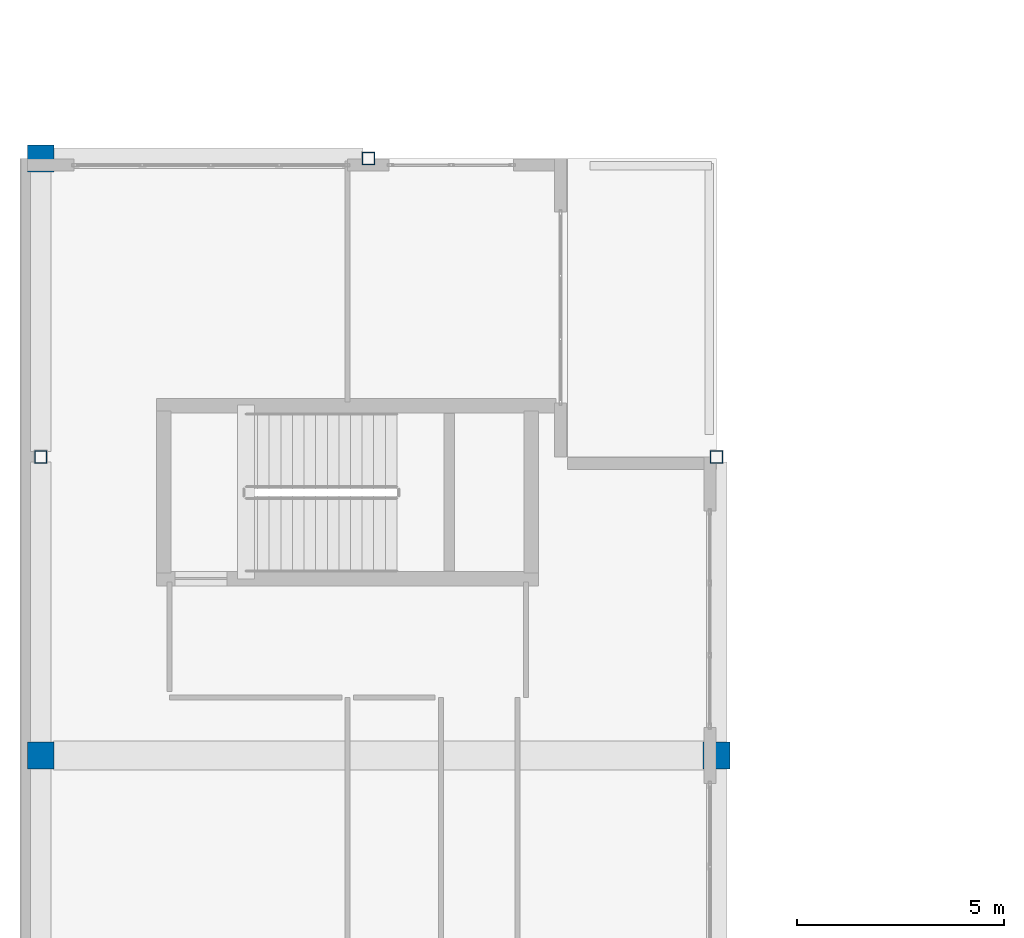
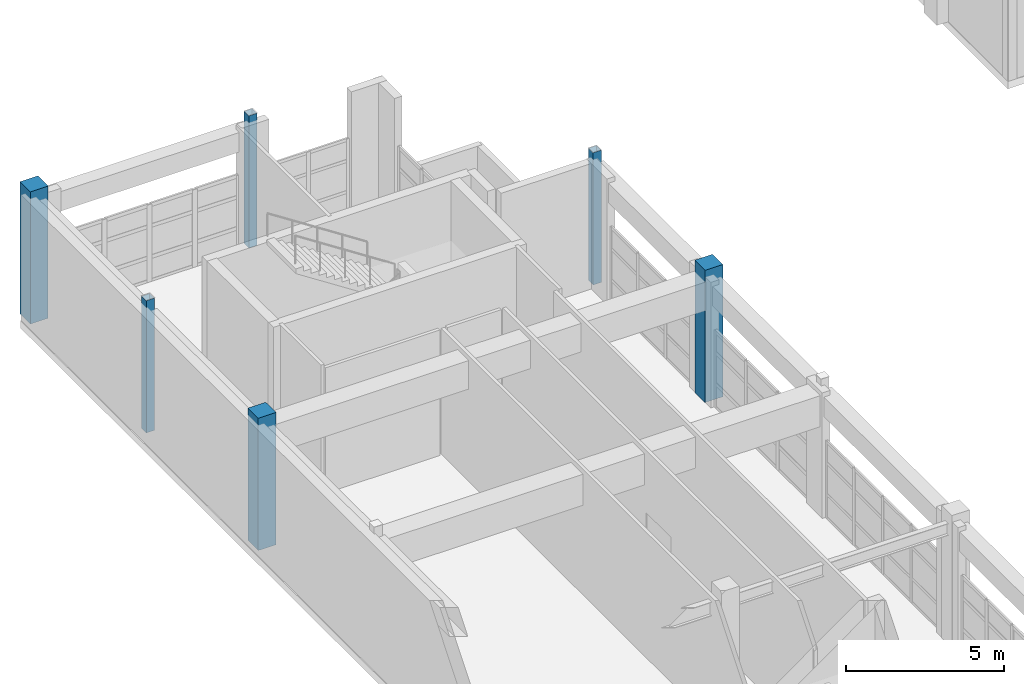
# One storey, part 4 of 78: 6 columns.
"""IFC4 building model written with IfcOpenShell, lengths in metres."""

from ifc_helpers import new_model, si_unit, direction, frame, origin, origin_2d, place, context, subcontext, project, spatial, rectangle, hollow_rectangle, extrude, material, material_profile, profile_set, type_object, element, save


model = new_model("IFC4")

# Units and contexts
model_context = context("Model", 3, precision=1e-05, world=origin(), true_north=direction((0.0, 1.0)))
body_context = subcontext(model_context, "Body", "Model", "MODEL_VIEW")
ifc_project = project(units=[si_unit("LENGTHUNIT", "METRE"), si_unit("AREAUNIT", "SQUARE_METRE"), si_unit("VOLUMEUNIT", "CUBIC_METRE"), si_unit("PLANEANGLEUNIT", "RADIAN"), si_unit("MASSUNIT", "GRAM", prefix="KILO")], contexts=[model_context])

# Site, building, storey
site_placement = place(None, origin())
site = spatial("IfcSite", under=ifc_project, at=site_placement, CompositionType="ELEMENT")
building_placement = place(site_placement, origin())
building = spatial("IfcBuilding", under=site, at=building_placement, Name="Quendrovan Civic Courthouse", CompositionType="ELEMENT")
storey_placement = place(building_placement, frame((0.0, 0.0, 20.39990234375)))
storey = spatial("IfcBuildingStorey", under=building, at=storey_placement, Name="L05", CompositionType="ELEMENT", Elevation=20.39990234375)

# Columns
ifc_material_1 = material(Name="Concrete C45/55", Category="concrete")
ifc_material_profile_1 = material_profile(ifc_material_1, rectangle(XDim=0.64990234375, YDim=0.64990234375, at=origin_2d()), Name="RC-COL-650x650")
ifc_profile_set_1 = profile_set([ifc_material_profile_1], Name="Concrete C45/55")
column_type_1 = type_object("IfcColumnType", Name="COL-RC650", PredefinedType="COLUMN", material=ifc_profile_set_1)
for number, where, z_axis, x_axis, name in (
    (1, (0.5, 80.39990234375, 0.0), (0.0, 0.0, 1.0), (1.0, 0.0, 0.0), "L05 Column 1-L"),
    (2, (0.5, 94.800048828125, 0.0), (0.0, 0.0, 1.0), (1.0, 0.0, 0.0), "L05 Column 1-N"),
    (3, (16.800048828125, 80.39990234375, 0.0), (0.0, 0.0, 1.0), (1.0, 0.0, 0.0), "L05 Column 3-L"),
):
    element("IfcColumn", number, at=place(storey_placement, frame(where, z_axis=z_axis, x_axis=x_axis)), inside=storey, type_object=column_type_1, Name=name, PredefinedType="COLUMN", context=body_context, shape_type="SweptSolid", body=[
        extrude(rectangle(XDim=0.64990234375, YDim=0.64990234375, at=origin_2d()), origin(), (0.0, 0.0, 1.0), 5.10009765625),
    ])
ifc_material_2 = material(Name="Steel ASTM A500 Grade C", Category="steel")
ifc_material_profile_2 = material_profile(ifc_material_2, hollow_rectangle(XDim=0.300048828125, YDim=0.300048828125, WallThickness=0.011962890625, at=origin_2d()), Name="HSS300x300x12")
ifc_profile_set_2 = profile_set([ifc_material_profile_2], Name="Steel ASTM A500 Grade C")
column_type_2 = type_object("IfcColumnType", Name="COL-STL-HSS300S", PredefinedType="COLUMN", material=ifc_profile_set_2)
for number, where, z_axis, x_axis, name in (
    (4, (0.5, 87.60009765625, 0.0), (0.0, 0.0, 1.0), (1.0, 0.0, 0.0), "L05 Column 1-M"),
    (5, (8.39990234375, 94.800048828125, 0.0), (0.0, 0.0, 1.0), (1.0, 0.0, 0.0), "L05 Column 2-N"),
    (6, (16.800048828125, 87.60009765625, 0.0), (0.0, 0.0, 1.0), (1.0, 0.0, 0.0), "L05 Column 3-M"),
):
    element("IfcColumn", number, at=place(storey_placement, frame(where, z_axis=z_axis, x_axis=x_axis)), inside=storey, type_object=column_type_2, Name=name, PredefinedType="COLUMN", context=body_context, shape_type="SweptSolid", body=[
        extrude(hollow_rectangle(XDim=0.300048828125, YDim=0.300048828125, WallThickness=0.011962890625, at=origin_2d()), origin(), (0.0, 0.0, 1.0), 5.10009765625),
    ])

save(model, "model.ifc")
